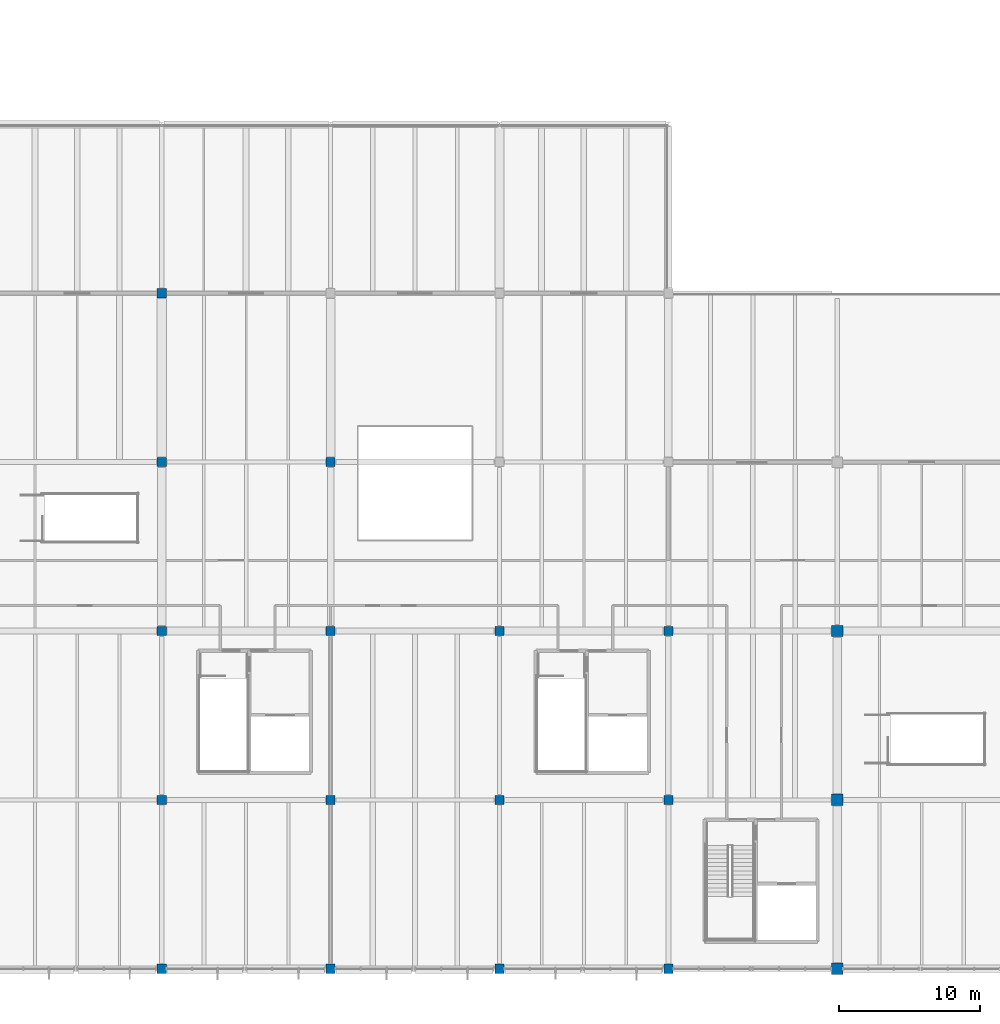
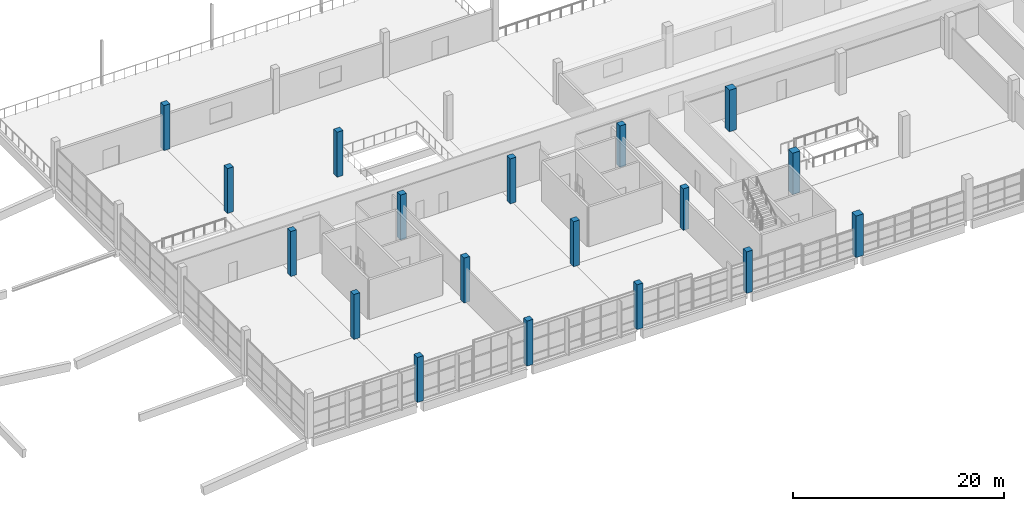
# One storey, part 3 of 112: 18 columns.
"""IFC4 building model written with IfcOpenShell, lengths in metres."""

from ifc_helpers import new_model, si_unit, direction, frame, origin, origin_2d, place, context, subcontext, project, spatial, rectangle, extrude, material, material_profile, profile_set, type_object, element, save


model = new_model("IFC4")

# Units and contexts
model_context = context("Model", 3, precision=1e-05, world=origin(), true_north=direction((0.0, 1.0)))
body_context = subcontext(model_context, "Body", "Model", "MODEL_VIEW")
ifc_project = project(units=[si_unit("LENGTHUNIT", "METRE"), si_unit("AREAUNIT", "SQUARE_METRE"), si_unit("VOLUMEUNIT", "CUBIC_METRE"), si_unit("PLANEANGLEUNIT", "RADIAN"), si_unit("MASSUNIT", "GRAM", prefix="KILO")], contexts=[model_context])

# Site, building, storey
site_placement = place(None, origin())
site = spatial("IfcSite", under=ifc_project, at=site_placement, CompositionType="ELEMENT")
building_placement = place(site_placement, origin())
building = spatial("IfcBuilding", under=site, at=building_placement, Name="Kamomehara Wholesale Market", CompositionType="ELEMENT")
storey_placement = place(building_placement, frame((0.0, 0.0, 6.60009765625)))
storey = spatial("IfcBuildingStorey", under=building, at=storey_placement, Name="L01", CompositionType="ELEMENT", Elevation=6.60009765625)

# Columns
ifc_material_1 = material(Name="Precast concrete Fc45 (C40/50)", Category="concrete")
ifc_material_profile_1 = material_profile(ifc_material_1, rectangle(XDim=0.64990234375, YDim=0.64990234375, at=origin_2d()), Name="PC-COL-650x650")
ifc_profile_set_1 = profile_set([ifc_material_profile_1], Name="Precast concrete Fc45 (C40/50)")
column_type_1 = type_object("IfcColumnType", Name="COL-PC650-EXT", PredefinedType="COLUMN", material=ifc_profile_set_1)
for number, where, z_axis, x_axis, name in (
    (1, (72.0, 12.0, 0.0), (0.0, 0.0, 1.0), (1.0, 0.0, 0.0), "Column C-06E L01"),
    (2, (72.0, 24.0, 0.0), (0.0, 0.0, 1.0), (1.0, 0.0, 0.0), "Column C-06E L01"),
    (3, (72.0, 36.0, 0.0), (0.0, 0.0, 1.0), (1.0, 0.0, 0.0), "Column C-06E L01"),
    (4, (72.0, 48.0, 0.0), (0.0, 0.0, 1.0), (1.0, 0.0, 0.0), "Column C-06E L01"),
    (5, (72.0, 60.0, 0.0), (0.0, 0.0, 1.0), (1.0, 0.0, 0.0), "Column C-06E L01"),
    (6, (84.0, 12.0, 0.0), (0.0, 0.0, 1.0), (1.0, 0.0, 0.0), "Column C-06E L01"),
    (7, (84.0, 24.0, 0.0), (0.0, 0.0, 1.0), (1.0, 0.0, 0.0), "Column C-06E L01"),
    (8, (84.0, 36.0, 0.0), (0.0, 0.0, 1.0), (1.0, 0.0, 0.0), "Column C-06E L01"),
    (9, (84.0, 48.0, 0.0), (0.0, 0.0, 1.0), (1.0, 0.0, 0.0), "Column C-06E L01"),
    (10, (96.0, 12.0, 0.0), (0.0, 0.0, 1.0), (1.0, 0.0, 0.0), "Column C-06E L01"),
    (11, (96.0, 24.0, 0.0), (0.0, 0.0, 1.0), (1.0, 0.0, 0.0), "Column C-06E L01"),
    (12, (96.0, 36.0, 0.0), (0.0, 0.0, 1.0), (1.0, 0.0, 0.0), "Column C-06E L01"),
):
    element("IfcColumn", number, at=place(storey_placement, frame(where, z_axis=z_axis, x_axis=x_axis)), inside=storey, type_object=column_type_1, Name=name, PredefinedType="COLUMN", context=body_context, shape_type="SweptSolid", body=[
        extrude(rectangle(XDim=0.64990234375, YDim=0.64990234375, at=origin_2d()), origin(), (0.0, 0.0, 1.0), 5.199951171875),
    ])
for number, where, z_axis, x_axis, name in (
    (13, (108.0, 12.0, 0.0), (0.0, 0.0, 1.0), (1.0, 0.0, 0.0), "Column C-06E L01"),
    (14, (108.0, 24.0, 0.0), (0.0, 0.0, 1.0), (1.0, 0.0, 0.0), "Column C-06E L01"),
    (15, (108.0, 36.0, 0.0), (0.0, 0.0, 1.0), (1.0, 0.0, 0.0), "Column C-06E L01"),
):
    element("IfcColumn", number, at=place(storey_placement, frame(where, z_axis=z_axis, x_axis=x_axis)), inside=storey, type_object=column_type_1, Name=name, PredefinedType="COLUMN", context=body_context, shape_type="SweptSolid", body=[
        extrude(rectangle(XDim=0.64990234375, YDim=0.64990234375, at=origin_2d()), origin(), (0.0, 0.0, 1.0), 4.7998046875),
    ])
ifc_material_2 = material(Name="Precast concrete Fc45 (C40/50)", Category="concrete")
ifc_material_profile_2 = material_profile(ifc_material_2, rectangle(XDim=0.800048828125, YDim=0.800048828125, at=origin_2d()), Name="PC-COL-800x800")
ifc_profile_set_2 = profile_set([ifc_material_profile_2], Name="Precast concrete Fc45 (C40/50)")
column_type_2 = type_object("IfcColumnType", Name="COL-PC800-EXT", PredefinedType="COLUMN", material=ifc_profile_set_2)
for number, where, z_axis, x_axis, name in (
    (16, (120.0, 12.0, 0.0), (0.0, 0.0, 1.0), (1.0, 0.0, 0.0), "Column C-03E L01"),
    (17, (120.0, 24.0, 0.0), (0.0, 0.0, 1.0), (1.0, 0.0, 0.0), "Column C-03E L01"),
    (18, (120.0, 36.0, 0.0), (0.0, 0.0, 1.0), (1.0, 0.0, 0.0), "Column C-03E L01"),
):
    element("IfcColumn", number, at=place(storey_placement, frame(where, z_axis=z_axis, x_axis=x_axis)), inside=storey, type_object=column_type_2, Name=name, PredefinedType="COLUMN", context=body_context, shape_type="SweptSolid", body=[
        extrude(rectangle(XDim=0.800048828125, YDim=0.800048828125, at=origin_2d()), origin(), (0.0, 0.0, 1.0), 4.7998046875),
    ])

save(model, "model.ifc")
